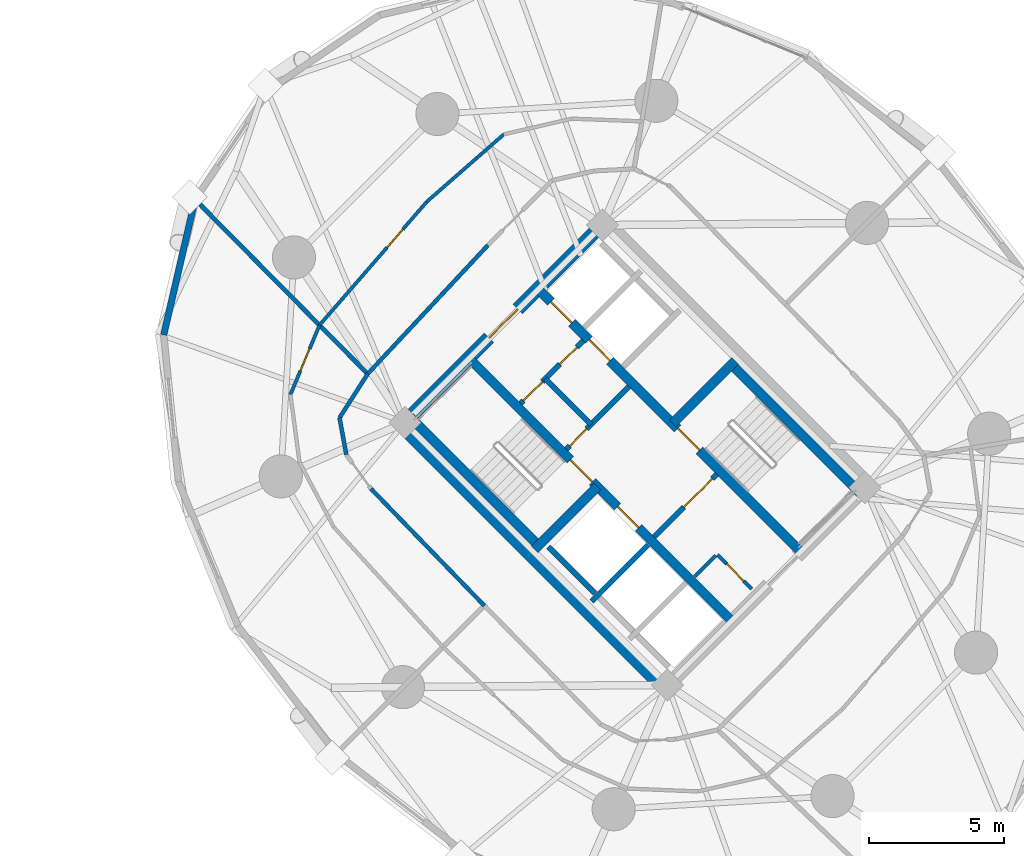
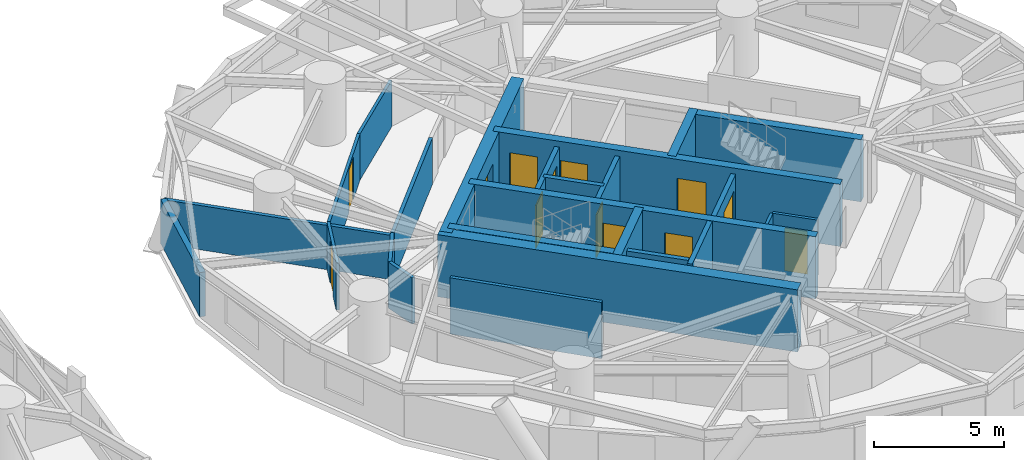
# One storey, part 13 of 18: 25 walls, 13 doors, 13 openings.
"""IFC4 building model written with IfcOpenShell, lengths in metres."""

from ifc_helpers import new_model, si_unit, direction, frame, frame_2d, origin, place, context, subcontext, project, spatial, rectangle, extrude, source, transform, mapped, material, layer, layer_set, type_object, element, fill, save


model = new_model("IFC4")

# Units and contexts
model_context = context("Model", 3, precision=1e-05, world=origin(), true_north=direction((0.0, 1.0)))
body_context = subcontext(model_context, "Body", "Model", "MODEL_VIEW")
ifc_project = project(units=[si_unit("LENGTHUNIT", "METRE"), si_unit("AREAUNIT", "SQUARE_METRE"), si_unit("VOLUMEUNIT", "CUBIC_METRE"), si_unit("PLANEANGLEUNIT", "RADIAN"), si_unit("MASSUNIT", "GRAM", prefix="KILO")], contexts=[model_context])

# Site, building, storey
site_placement = place(None, origin())
site = spatial("IfcSite", under=ifc_project, at=site_placement, CompositionType="ELEMENT")
building_placement = place(site_placement, origin())
building = spatial("IfcBuilding", under=site, at=building_placement, Name="Cununo Teusaquillo Station Towers", CompositionType="ELEMENT")
storey_placement = place(building_placement, frame((0.0, 0.0, 56.919921875)))
storey = spatial("IfcBuildingStorey", under=building, at=storey_placement, Name="L17", CompositionType="ELEMENT", Elevation=56.919921875)

# Walls
ifc_material_1 = material(Name="Concrete C50/60", Category="concrete")
ifc_layer_1 = layer(ifc_material_1, 0.199951171875)
ifc_layer_set_1 = layer_set([ifc_layer_1], Name="Concrete C50/60")
wall_type_1 = type_object("IfcWallType", Name="WL-CORE-200", PredefinedType="SHEAR", material=ifc_layer_set_1)
wall_1_placement = place(storey_placement, frame((55.8876953125, 19.0693359375, 0.0), z_axis=(0.0, 0.0, 1.0), x_axis=(0.707106781187, 0.707106781187, 0.0)))
element("IfcWall", 1, at=wall_1_placement, inside=storey, type_object=wall_type_1, Name="L17 Tower B Firefighting Lift Shaft South Shear Wall", PredefinedType="SHEAR", context=body_context, shape_type="SweptSolid", body=[
    extrude(rectangle(XDim=2.969970703125, YDim=0.199951171875, at=frame_2d((1.48486328125, 0.0))), origin(), (0.0, 0.0, 1.0), 2.91015625),
])
wall_2_placement = place(storey_placement, frame((56.01513671875, 19.366455078125, 0.0), z_axis=(0.0, 0.0, 1.0), x_axis=(-0.707106781187, 0.707106781187, 0.0)))
element("IfcWall", 2, at=wall_2_placement, inside=storey, type_object=wall_type_1, Name="L17 Tower B Firefighting Lift Shaft Rear Shear Wall", PredefinedType="SHEAR", context=body_context, shape_type="SweptSolid", body=[
    extrude(rectangle(XDim=2.43994140625, YDim=0.199951171875, at=frame_2d((1.219970703125, 0.0))), origin(), (0.0, 0.0, 1.0), 2.91015625),
])

# Wall, openings, doors
ifc_material_2 = material(Name="Concrete C50/60", Category="concrete")
ifc_layer_2 = layer(ifc_material_2, 0.35009765625)
ifc_layer_set_2 = layer_set([ifc_layer_2], Name="Concrete C50/60")
wall_type_2 = type_object("IfcWallType", Name="WL-CORE-350", PredefinedType="SHEAR", material=ifc_layer_set_2)
wall_3_placement = place(storey_placement, frame((61.095703125, 18.337646484375, 0.0), z_axis=(0.0, 0.0, 1.0), x_axis=(-0.707106781187, 0.707106781187, 0.0)))
wall_3 = element("IfcWall", 3, at=wall_3_placement, inside=storey, type_object=wall_type_2, Name="L17 Tower B Core Shear Wall IW", PredefinedType="SHEAR", context=body_context, shape_type="SweptSolid", body=[
    extrude(rectangle(XDim=13.800048828125, YDim=0.35009765625, at=frame_2d((6.89990234375, 0.0))), origin(), (0.0, 0.0, 1.0), 2.91015625),
])
shared_shape_1 = source(origin(), body_context, "Body", "SweptSolid", [
    extrude(rectangle(XDim=1.10009765625, YDim=2.014892578125, at=frame_2d((0.550048828125, 1.00732421875))), frame((0.0, 0.18505859375, 0.0), z_axis=(0.0, -1.0, 0.0), x_axis=(1.0, 0.0, 0.0)), (0.0, 0.0, 1.0), 0.3701171875),
])
opening_1_placement = place(wall_3_placement, frame((4.89990234375, 0.0, 0.0)))
opening_1 = element("IfcOpeningElement", 4, at=opening_1_placement, cuts=wall_3, Name="Opening LD-01", PredefinedType="OPENING", context=body_context, shape_type="MappedRepresentation", body=[
    mapped(shared_shape_1, transform((0.0, 0.0, 0.0), x_axis=(1.0, 0.0, 0.0), y_axis=(0.0, 1.0, 0.0), z_axis=(0.0, 0.0, 1.0), scale=1.0)),
])
shared_shape_2 = source(origin(), body_context, "Body", "SweptSolid", [
    extrude(rectangle(XDim=1.14990234375, YDim=2.02001953125, at=frame_2d((0.574951171875, 1.010009765625))), frame((0.0, 0.18505859375, 0.0), z_axis=(0.0, -1.0, 0.0), x_axis=(1.0, 0.0, 0.0)), (0.0, 0.0, 1.0), 0.3701171875),
])
opening_2_placement = place(wall_3_placement, frame((7.320068359375, 0.0, 0.0)))
opening_2 = element("IfcOpeningElement", 5, at=opening_2_placement, cuts=wall_3, Name="Opening D-ST1", PredefinedType="OPENING", context=body_context, shape_type="MappedRepresentation", body=[
    mapped(shared_shape_2, transform((0.0, 0.0, 0.0), x_axis=(1.0, 0.0, 0.0), y_axis=(0.0, 1.0, 0.0), z_axis=(0.0, 0.0, 1.0), scale=1.0)),
])
ifc_material_3 = material(Name="Galvanised fire-rated hollow steel door assembly", Category="steel")
door_type_1 = type_object("IfcDoorType", Name="DR-LIFT-1100", OperationType="SLIDING_TO_LEFT", PredefinedType="DOOR", material=ifc_material_3)
shared_shape_3 = source(origin(), body_context, "Body", "SweptSolid", [
    extrude(rectangle(XDim=1.10009765625, YDim=2.014892578125, at=frame_2d((0.550048828125, 1.00732421875))), frame((0.0, 0.02490234375, 0.0), z_axis=(0.0, -1.0, 0.0), x_axis=(1.0, 0.0, 0.0)), (0.0, 0.0, 1.0), 0.050048828125),
])
door_1_placement = place(opening_1_placement, origin())
door_1 = element("IfcDoor", 6, at=door_1_placement, inside=storey, type_object=door_type_1, Name="L17 Lift FL-T2 Sliding Landing Door", OperationType="SLIDING_TO_LEFT", OverallHeight=2.014892578125, OverallWidth=1.10009765625, PredefinedType="DOOR", context=body_context, shape_type="MappedRepresentation", body=[
    mapped(shared_shape_3, transform((0.0, 0.0, 0.0), x_axis=(1.0, 0.0, 0.0), y_axis=(0.0, 1.0, 0.0), z_axis=(0.0, 0.0, 1.0), scale=1.0)),
])
fill(opening_1, door_1)
ifc_material_4 = material(Name="Galvanised fire-rated hollow steel door assembly", Category="steel")
door_type_2 = type_object("IfcDoorType", Name="DR-STAIR-1150", OperationType="NOTDEFINED", PredefinedType="DOOR", material=ifc_material_4)
shared_shape_4 = source(origin(), body_context, "Body", "SweptSolid", [
    extrude(rectangle(XDim=1.14990234375, YDim=2.02001953125, at=frame_2d((0.574951171875, 1.010009765625))), frame((0.0, 0.02490234375, 0.0), z_axis=(0.0, -1.0, 0.0), x_axis=(1.0, 0.0, 0.0)), (0.0, 0.0, 1.0), 0.050048828125),
])
door_2_placement = place(opening_2_placement, origin())
door_2 = element("IfcDoor", 7, at=door_2_placement, inside=storey, type_object=door_type_2, Name="L17 Tower B Exit Stair 1 Fire Door", OperationType="SINGLE_SWING_RIGHT", OverallHeight=2.02001953125, OverallWidth=1.14990234375, PredefinedType="DOOR", context=body_context, shape_type="MappedRepresentation", body=[
    mapped(shared_shape_4, transform((0.0, 0.0, 0.0), x_axis=(1.0, 0.0, 0.0), y_axis=(0.0, 1.0, 0.0), z_axis=(0.0, 0.0, 1.0), scale=1.0)),
])
fill(opening_2, door_2)

wall_4_placement = place(storey_placement, frame((63.662353515625, 20.904296875, 0.0), z_axis=(0.0, 0.0, 1.0), x_axis=(-0.707106781187, 0.707106781187, 0.0)))
wall_4 = element("IfcWall", 8, at=wall_4_placement, inside=storey, type_object=wall_type_2, Name="L17 Tower B Core Shear Wall IE", PredefinedType="SHEAR", context=body_context, shape_type="SweptSolid", body=[
    extrude(rectangle(XDim=13.800048828125, YDim=0.35009765625, at=frame_2d((6.89990234375, 0.0))), origin(), (0.0, 0.0, 1.0), 2.91015625),
])
opening_3_placement = place(wall_4_placement, frame((10.02490234375, 0.0, 0.0)))
opening_3 = element("IfcOpeningElement", 9, at=opening_3_placement, cuts=wall_4, Name="Opening LD-01", PredefinedType="OPENING", context=body_context, shape_type="MappedRepresentation", body=[
    mapped(shared_shape_1, transform((0.0, 0.0, 0.0), x_axis=(1.0, 0.0, 0.0), y_axis=(0.0, 1.0, 0.0), z_axis=(0.0, 0.0, 1.0), scale=1.0)),
])
opening_4_placement = place(wall_4_placement, frame((12.02490234375, 0.0, 0.0)))
opening_4 = element("IfcOpeningElement", 10, at=opening_4_placement, cuts=wall_4, Name="Opening LD-01", PredefinedType="OPENING", context=body_context, shape_type="MappedRepresentation", body=[
    mapped(shared_shape_1, transform((0.0, 0.0, 0.0), x_axis=(1.0, 0.0, 0.0), y_axis=(0.0, 1.0, 0.0), z_axis=(0.0, 0.0, 1.0), scale=1.0)),
])
opening_5_placement = place(wall_4_placement, frame((5.330078125, 0.0, 0.0)))
opening_5 = element("IfcOpeningElement", 11, at=opening_5_placement, cuts=wall_4, Name="Opening D-ST1", PredefinedType="OPENING", context=body_context, shape_type="MappedRepresentation", body=[
    mapped(shared_shape_2, transform((0.0, 0.0, 0.0), x_axis=(1.0, 0.0, 0.0), y_axis=(0.0, 1.0, 0.0), z_axis=(0.0, 0.0, 1.0), scale=1.0)),
])
door_3_placement = place(opening_3_placement, origin())
door_3 = element("IfcDoor", 12, at=door_3_placement, inside=storey, type_object=door_type_1, Name="L17 Lift PL-T2-L1 Sliding Landing Door", OperationType="SLIDING_TO_RIGHT", OverallHeight=2.014892578125, OverallWidth=1.10009765625, PredefinedType="DOOR", context=body_context, shape_type="MappedRepresentation", body=[
    mapped(shared_shape_3, transform((0.0, 0.0, 0.0), x_axis=(1.0, 0.0, 0.0), y_axis=(0.0, 1.0, 0.0), z_axis=(0.0, 0.0, 1.0), scale=1.0)),
])
fill(opening_3, door_3)
door_4_placement = place(opening_4_placement, origin())
door_4 = element("IfcDoor", 13, at=door_4_placement, inside=storey, type_object=door_type_1, Name="L17 Lift PL-T2-L2 Sliding Landing Door", OperationType="SLIDING_TO_LEFT", OverallHeight=2.014892578125, OverallWidth=1.10009765625, PredefinedType="DOOR", context=body_context, shape_type="MappedRepresentation", body=[
    mapped(shared_shape_3, transform((0.0, 0.0, 0.0), x_axis=(1.0, 0.0, 0.0), y_axis=(0.0, 1.0, 0.0), z_axis=(0.0, 0.0, 1.0), scale=1.0)),
])
fill(opening_4, door_4)
door_5_placement = place(opening_5_placement, origin())
door_5 = element("IfcDoor", 14, at=door_5_placement, inside=storey, type_object=door_type_2, Name="L17 Tower B Exit Stair 2 Fire Door", OperationType="SINGLE_SWING_LEFT", OverallHeight=2.02001953125, OverallWidth=1.14990234375, PredefinedType="DOOR", context=body_context, shape_type="MappedRepresentation", body=[
    mapped(shared_shape_4, transform((0.0, 0.0, 0.0), x_axis=(1.0, 0.0, 0.0), y_axis=(0.0, 1.0, 0.0), z_axis=(0.0, 0.0, 1.0), scale=1.0)),
])
fill(opening_5, door_5)

# Walls
wall_5_placement = place(storey_placement, frame((53.922119140625, 21.14111328125, 0.0), z_axis=(0.0, 0.0, 1.0), x_axis=(-0.707106781187, 0.707106781187, 0.0)))
element("IfcWall", 15, at=wall_5_placement, inside=storey, type_object=wall_type_2, Name="L17 Tower B Core Shear Wall ST1W", PredefinedType="SHEAR", context=body_context, shape_type="SweptSolid", body=[
    extrude(rectangle(XDim=6.7451171875, YDim=0.35009765625, at=frame_2d((3.37255859375, 0.0))), origin(), (0.0, 0.0, 1.0), 2.91015625),
])
wall_6_placement = place(storey_placement, frame((53.7841796875, 21.00341796875, 0.0), z_axis=(0.0, 0.0, 1.0), x_axis=(0.707106781187, 0.707106781187, 0.0)))
element("IfcWall", 16, at=wall_6_placement, inside=storey, type_object=wall_type_2, Name="L17 Tower B Core Shear Wall ST1S", PredefinedType="SHEAR", context=body_context, shape_type="SweptSolid", body=[
    extrude(rectangle(XDim=3.284912109375, YDim=0.35009765625, at=frame_2d((1.642578125, 0.0))), origin(), (0.0, 0.0, 1.0), 2.91015625),
])
wall_7_placement = place(storey_placement, frame((65.847412109375, 23.08935546875, 0.0), z_axis=(0.0, 0.0, 1.0), x_axis=(-0.707106781187, 0.707106781187, 0.0)))
element("IfcWall", 17, at=wall_7_placement, inside=storey, type_object=wall_type_2, Name="L17 Tower B Core Shear Wall ST2E", PredefinedType="SHEAR", context=body_context, shape_type="SweptSolid", body=[
    extrude(rectangle(XDim=6.7451171875, YDim=0.35009765625, at=frame_2d((3.37255859375, 0.0))), origin(), (0.0, 0.0, 1.0), 2.91015625),
])
wall_8_placement = place(storey_placement, frame((58.89306640625, 25.673828125, 0.0), z_axis=(0.0, 0.0, 1.0), x_axis=(0.707106781187, 0.707106781187, 0.0)))
element("IfcWall", 18, at=wall_8_placement, inside=storey, type_object=wall_type_2, Name="L17 Tower B Core Shear Wall ST2N", PredefinedType="SHEAR", context=body_context, shape_type="SweptSolid", body=[
    extrude(rectangle(XDim=3.284912109375, YDim=0.35009765625, at=frame_2d((1.642578125, 0.0))), origin(), (0.0, 0.0, 1.0), 2.91015625),
])
ifc_material_5 = material(Name="Concrete C60/75", Category="concrete")
ifc_layer_3 = layer(ifc_material_5, 0.5)
ifc_layer_set_3 = layer_set([ifc_layer_3], Name="Concrete C60/75")
wall_type_3 = type_object("IfcWallType", Name="WL-CORE-500", PredefinedType="SHEAR", material=ifc_layer_set_3)
wall_9_placement = place(storey_placement, frame((58.772705078125, 15.6611328125, 0.0), z_axis=(0.0, 0.0, 1.0), x_axis=(-0.707106781187, 0.707106781187, 0.0)))
element("IfcWall", 19, at=wall_9_placement, inside=storey, type_object=wall_type_3, Name="L17 Tower B Core Shear Wall W", PredefinedType="SHEAR", context=body_context, shape_type="SweptSolid", body=[
    extrude(rectangle(XDim=14.2998046875, YDim=0.5, at=frame_2d((7.14990234375, 0.0))), origin(), (0.0, 0.0, 1.0), 2.91015625),
])

# Wall, opening, door
wall_10_placement = place(storey_placement, frame((48.837890625, 25.595947265625, 0.0), z_axis=(0.0, 0.0, 1.0), x_axis=(0.707106781187, 0.707106781187, 0.0)))
wall_10 = element("IfcWall", 20, at=wall_10_placement, inside=storey, type_object=wall_type_3, Name="L17 Tower B Core Shear Wall N", PredefinedType="SHEAR", context=body_context, shape_type="SweptSolid", body=[
    extrude(rectangle(XDim=10.7001953125, YDim=0.5, at=frame_2d((5.35009765625, 0.0))), origin(), (0.0, 0.0, 1.0), 2.91015625),
])
shared_shape_5 = source(origin(), body_context, "Body", "SweptSolid", [
    extrude(rectangle(XDim=1.5, YDim=2.02001953125, at=frame_2d((0.75, 1.010009765625))), frame((0.0, 0.260009765625, 0.0), z_axis=(0.0, -1.0, 0.0), x_axis=(1.0, 0.0, 0.0)), (0.0, 0.0, 1.0), 0.52001953125),
])
opening_6_placement = place(wall_10_placement, frame((4.60009765625, 0.0, 0.0)))
opening_6 = element("IfcOpeningElement", 21, at=opening_6_placement, cuts=wall_10, Name="Opening D-LB1", PredefinedType="OPENING", context=body_context, shape_type="MappedRepresentation", body=[
    mapped(shared_shape_5, transform((0.0, 0.0, 0.0), x_axis=(1.0, 0.0, 0.0), y_axis=(0.0, 1.0, 0.0), z_axis=(0.0, 0.0, 1.0), scale=1.0)),
])
ifc_material_6 = material(Name="Galvanised fire-rated hollow steel door assembly", Category="steel")
door_type_3 = type_object("IfcDoorType", Name="DR-LOBBY-1500", OperationType="DOUBLE_DOOR_SINGLE_SWING", PredefinedType="DOOR", material=ifc_material_6)
shared_shape_6 = source(origin(), body_context, "Body", "SweptSolid", [
    extrude(rectangle(XDim=1.5, YDim=2.02001953125, at=frame_2d((0.75, 1.010009765625))), frame((0.0, 0.02490234375, 0.0), z_axis=(0.0, -1.0, 0.0), x_axis=(1.0, 0.0, 0.0)), (0.0, 0.0, 1.0), 0.050048828125),
])
door_6_placement = place(opening_6_placement, origin())
door_6 = element("IfcDoor", 22, at=door_6_placement, inside=storey, type_object=door_type_3, Name="L17 Tower B North Core Lift Lobby Door", OperationType="DOUBLE_DOOR_SINGLE_SWING", OverallHeight=2.02001953125, OverallWidth=1.5, PredefinedType="DOOR", context=body_context, shape_type="MappedRepresentation", body=[
    mapped(shared_shape_6, transform((0.0, 0.0, 0.0), x_axis=(1.0, 0.0, 0.0), y_axis=(0.0, 1.0, 0.0), z_axis=(0.0, 0.0, 1.0), scale=1.0)),
])
fill(opening_6, door_6)

# Wall
ifc_material_7 = material(Name="Precast concrete C40/50", Category="concrete")
ifc_layer_4 = layer(ifc_material_7, 0.239990234375)
ifc_layer_set_4 = layer_set([ifc_layer_4], Name="Precast concrete C40/50")
wall_type_4 = type_object("IfcWallType", Name="WL-EXT-240", PredefinedType="SOLIDWALL", material=ifc_layer_set_4)
wall_11_placement = place(storey_placement, frame((40.023681640625, 28.95654296875, 0.0), z_axis=(0.0, 0.0, 1.0), x_axis=(0.225833060959, 0.974166016949, 0.0)))
element("IfcWall", 23, at=wall_11_placement, inside=storey, type_object=wall_type_4, Name="L17 Tower B Exterior Facade Wall C06", PredefinedType="SOLIDWALL", context=body_context, shape_type="SweptSolid", body=[
    extrude(rectangle(XDim=5.14599609375, YDim=0.239990234375, at=frame_2d((2.572998046875, 0.0))), origin(), (0.0, 0.0, 1.0), 2.072998046875),
])

# Wall, opening, door
ifc_material_8 = material(Name="Fire-rated gypsum plasterboard partition assembly", Category="gypsum")
ifc_layer_5 = layer(ifc_material_8, 0.125)
ifc_layer_set_5 = layer_set([ifc_layer_5], Name="Fire-rated gypsum plasterboard partition assembly")
wall_type_5 = type_object("IfcWallType", Name="WL-PART-125", PredefinedType="PARTITIONING", material=ifc_layer_set_5)
wall_12_placement = place(storey_placement, frame((61.834716796875, 19.529052734375, 0.0), z_axis=(0.0, 0.0, 1.0), x_axis=(-0.707174592913, 0.707038962956, 0.0)))
wall_12 = element("IfcWall", 24, at=wall_12_placement, inside=storey, type_object=wall_type_5, Name="L17 Tower B South-West Compact Store East Wall", PredefinedType="PARTITIONING", context=body_context, shape_type="SweptSolid", body=[
    extrude(rectangle(XDim=1.800048828125, YDim=0.125, at=frame_2d((0.89990234375, 0.0))), origin(), (0.0, 0.0, 1.0), 2.635009765625),
])
shared_shape_7 = source(origin(), body_context, "Body", "SweptSolid", [
    extrude(rectangle(XDim=0.89990234375, YDim=2.0048828125, at=frame_2d((0.449951171875, 1.00244140625))), frame((0.0, 0.072509765625, 0.0), z_axis=(0.0, -1.0, 0.0), x_axis=(1.0, 0.0, 0.0)), (0.0, 0.0, 1.0), 0.14501953125),
])
opening_7_placement = place(wall_12_placement, frame((0.419921875, 0.0, 0.0)))
opening_7 = element("IfcOpeningElement", 25, at=opening_7_placement, cuts=wall_12, Name="Opening D-SR1", PredefinedType="OPENING", context=body_context, shape_type="MappedRepresentation", body=[
    mapped(shared_shape_7, transform((0.0, 0.0, 0.0), x_axis=(1.0, 0.0, 0.0), y_axis=(0.0, 1.0, 0.0), z_axis=(0.0, 0.0, 1.0), scale=1.0)),
])
ifc_material_9 = material(Name="Galvanised fire-rated hollow steel door assembly", Category="steel")
door_type_4 = type_object("IfcDoorType", Name="DR-STORE-900", OperationType="NOTDEFINED", PredefinedType="DOOR", material=ifc_material_9)
shared_shape_8 = source(origin(), body_context, "Body", "SweptSolid", [
    extrude(rectangle(XDim=0.89990234375, YDim=2.0048828125, at=frame_2d((0.449951171875, 1.00244140625))), frame((0.0, 0.02490234375, 0.0), z_axis=(0.0, -1.0, 0.0), x_axis=(1.0, 0.0, 0.0)), (0.0, 0.0, 1.0), 0.050048828125),
])
door_7_placement = place(opening_7_placement, origin())
door_7 = element("IfcDoor", 26, at=door_7_placement, inside=storey, type_object=door_type_4, Name="L17 Tower B Core Electrical & Comms Store Door", OperationType="SINGLE_SWING_RIGHT", OverallHeight=2.0048828125, OverallWidth=0.89990234375, PredefinedType="DOOR", context=body_context, shape_type="MappedRepresentation", body=[
    mapped(shared_shape_8, transform((0.0, 0.0, 0.0), x_axis=(1.0, 0.0, 0.0), y_axis=(0.0, 1.0, 0.0), z_axis=(0.0, 0.0, 1.0), scale=1.0)),
])
fill(opening_7, door_7)

# Walls
wall_13_placement = place(storey_placement, frame((59.713134765625, 19.99560546875, 0.0), z_axis=(0.0, 0.0, 1.0), x_axis=(0.707217726, 0.706995818963, 0.0)))
element("IfcWall", 27, at=wall_13_placement, inside=storey, type_object=wall_type_5, Name="L17 Tower B South-West Compact Store North Wall", PredefinedType="PARTITIONING", context=body_context, shape_type="SweptSolid", body=[
    extrude(rectangle(XDim=1.10009765625, YDim=0.125, at=frame_2d((0.550048828125, 0.0))), origin(), (0.0, 0.0, 1.0), 2.635009765625),
])
wall_14_placement = place(storey_placement, frame((52.63818359375, 36.394287109375, 0.0), z_axis=(0.0, 0.0, 1.0), x_axis=(-0.752560767323, -0.658522810149, 0.0)))
element("IfcWall", 28, at=wall_14_placement, inside=storey, type_object=wall_type_5, Name="L17 Tower B Hotel Private Banquet Salon Concentric Partition Wall C04", PredefinedType="PARTITIONING", context=body_context, shape_type="SweptSolid", body=[
    extrude(rectangle(XDim=3.79833984375, YDim=0.125, at=frame_2d((1.899169921875, 0.0))), origin(), (0.0, 0.0, 1.0), 2.1591796875),
])

# Wall, opening, door
wall_15_placement = place(storey_placement, frame((49.77978515625, 33.89306640625, 0.0), z_axis=(0.0, 0.0, 1.0), x_axis=(-0.656115925284, -0.754660117264, 0.0)))
wall_15 = element("IfcWall", 29, at=wall_15_placement, inside=storey, type_object=wall_type_5, Name="L17 Tower B Hotel Private Banquet Salon Concentric Partition Wall C05", PredefinedType="PARTITIONING", context=body_context, shape_type="SweptSolid", body=[
    extrude(rectangle(XDim=6.06494140625, YDim=0.125, at=frame_2d((3.032470703125, 0.0))), origin(), (0.0, 0.0, 1.0), 2.1591796875),
])
opening_8_placement = place(wall_15_placement, frame((1.351318359375, 0.0, 0.0)))
opening_8 = element("IfcOpeningElement", 30, at=opening_8_placement, cuts=wall_15, Name="Opening D-IN1", PredefinedType="OPENING", context=body_context, shape_type="MappedRepresentation", body=[
    mapped(shared_shape_7, transform((0.0, 0.0, 0.0), x_axis=(1.0, 0.0, 0.0), y_axis=(0.0, 1.0, 0.0), z_axis=(0.0, 0.0, 1.0), scale=1.0)),
])
ifc_material_10 = material(Name="Acoustic solid-core hardwood leaf assembly", Category="wood")
door_type_5 = type_object("IfcDoorType", Name="DR-INT-900", OperationType="NOTDEFINED", PredefinedType="DOOR", material=ifc_material_10)
door_8_placement = place(opening_8_placement, origin())
door_8 = element("IfcDoor", 31, at=door_8_placement, inside=storey, type_object=door_type_5, Name="L17 Tower B Hotel Private Banquet Salon Connecting Door", OperationType="SINGLE_SWING_LEFT", OverallHeight=2.0048828125, OverallWidth=0.89990234375, PredefinedType="DOOR", context=body_context, shape_type="MappedRepresentation", body=[
    mapped(shared_shape_8, transform((0.0, 0.0, 0.0), x_axis=(1.0, 0.0, 0.0), y_axis=(0.0, 1.0, 0.0), z_axis=(0.0, 0.0, 1.0), scale=1.0)),
])
fill(opening_8, door_8)

wall_16_placement = place(storey_placement, frame((45.800537109375, 29.316162109375, 0.0), z_axis=(0.0, 0.0, 1.0), x_axis=(-0.386006506755, -0.922496057847, 0.0)))
wall_16 = element("IfcWall", 32, at=wall_16_placement, inside=storey, type_object=wall_type_5, Name="L17 Tower B Hotel Concierge & Library Club Concentric Partition Wall C06", PredefinedType="PARTITIONING", context=body_context, shape_type="SweptSolid", body=[
    extrude(rectangle(XDim=2.79052734375, YDim=0.125, at=frame_2d((1.395263671875, 0.0))), origin(), (0.0, 0.0, 1.0), 2.205078125),
])
opening_9_placement = place(wall_16_placement, frame((0.9453125, 0.0, 0.0)))
opening_9 = element("IfcOpeningElement", 33, at=opening_9_placement, cuts=wall_16, Name="Opening D-IN1", PredefinedType="OPENING", context=body_context, shape_type="MappedRepresentation", body=[
    mapped(shared_shape_7, transform((0.0, 0.0, 0.0), x_axis=(1.0, 0.0, 0.0), y_axis=(0.0, 1.0, 0.0), z_axis=(0.0, 0.0, 1.0), scale=1.0)),
])
door_9_placement = place(opening_9_placement, origin())
door_9 = element("IfcDoor", 34, at=door_9_placement, inside=storey, type_object=door_type_5, Name="L17 Tower B Hotel Concierge & Library Club Connecting Door", OperationType="SINGLE_SWING_LEFT", OverallHeight=2.0048828125, OverallWidth=0.89990234375, PredefinedType="DOOR", context=body_context, shape_type="MappedRepresentation", body=[
    mapped(shared_shape_8, transform((0.0, 0.0, 0.0), x_axis=(1.0, 0.0, 0.0), y_axis=(0.0, 1.0, 0.0), z_axis=(0.0, 0.0, 1.0), scale=1.0)),
])
fill(opening_9, door_9)

# Walls
ifc_material_11 = material(Name="Fire-rated gypsum plasterboard partition assembly", Category="gypsum")
ifc_layer_6 = layer(ifc_material_11, 0.14990234375)
ifc_layer_set_6 = layer_set([ifc_layer_6], Name="Fire-rated gypsum plasterboard partition assembly")
wall_type_6 = type_object("IfcWallType", Name="WL-PART-150", PredefinedType="PARTITIONING", material=ifc_layer_set_6)
wall_17_placement = place(storey_placement, frame((52.04345703125, 32.27978515625, 0.0), z_axis=(0.0, 0.0, 1.0), x_axis=(-0.682606081633, -0.730786519661, 0.0)))
element("IfcWall", 35, at=wall_17_placement, inside=storey, type_object=wall_type_6, Name="L17 Tower B Corridor Ring Wall C05", PredefinedType="PARTITIONING", context=body_context, shape_type="SweptSolid", body=[
    extrude(rectangle(XDim=6.526611328125, YDim=0.14990234375, at=frame_2d((3.26318359375, 0.0))), origin(), (0.0, 0.0, 1.0), 2.1591796875),
])
wall_18_placement = place(storey_placement, frame((47.58837890625, 27.51025390625, 0.0), z_axis=(0.0, 0.0, 1.0), x_axis=(-0.540202619347, -0.841534984449, 0.0)))
element("IfcWall", 36, at=wall_18_placement, inside=storey, type_object=wall_type_6, Name="L17 Tower B Corridor Ring Wall C06", PredefinedType="PARTITIONING", context=body_context, shape_type="SweptSolid", body=[
    extrude(rectangle(XDim=1.934814453125, YDim=0.14990234375, at=frame_2d((0.96728515625, 0.0))), origin(), (0.0, 0.0, 1.0), 2.1591796875),
])
wall_19_placement = place(storey_placement, frame((46.543212890625, 25.882080078125, 0.0), z_axis=(0.0, 0.0, 1.0), x_axis=(0.181153502579, -0.983454832976, 0.0)))
element("IfcWall", 37, at=wall_19_placement, inside=storey, type_object=wall_type_6, Name="L17 Tower B Corridor Ring Wall C07", PredefinedType="PARTITIONING", context=body_context, shape_type="SweptSolid", body=[
    extrude(rectangle(XDim=1.39208984375, YDim=0.14990234375, at=frame_2d((0.696044921875, 0.0))), origin(), (0.0, 0.0, 1.0), 2.1591796875),
])
wall_20_placement = place(storey_placement, frame((47.70556640625, 23.253173828125, 0.0), z_axis=(0.0, 0.0, 1.0), x_axis=(0.696179266346, -0.717867974707, 0.0)))
element("IfcWall", 38, at=wall_20_placement, inside=storey, type_object=wall_type_6, Name="L17 Tower B Corridor Ring Wall C09", PredefinedType="PARTITIONING", context=body_context, shape_type="SweptSolid", body=[
    extrude(rectangle(XDim=6.044677734375, YDim=0.14990234375, at=frame_2d((3.0224609375, 0.0))), origin(), (0.0, 0.0, 1.0), 2.635009765625),
])
ifc_material_12 = material(Name="Fire-rated gypsum plasterboard partition assembly", Category="gypsum")
ifc_layer_7 = layer(ifc_material_12, 0.159912109375)
ifc_layer_set_7 = layer_set([ifc_layer_7], Name="Fire-rated gypsum plasterboard partition assembly")
wall_type_7 = type_object("IfcWallType", Name="WL-PART-160", PredefinedType="PARTITIONING", material=ifc_layer_set_7)
wall_21_placement = place(storey_placement, frame((47.58837890625, 27.51025390625, 0.0), z_axis=(0.0, 0.0, 1.0), x_axis=(-0.703506421614, 0.710688901523, 0.0)))
element("IfcWall", 39, at=wall_21_placement, inside=storey, type_object=wall_type_7, Name="L17 Tower B Radial Suite Partition R03", PredefinedType="PARTITIONING", context=body_context, shape_type="SweptSolid", body=[
    extrude(rectangle(XDim=9.07568359375, YDim=0.159912109375, at=frame_2d((4.537841796875, 0.0))), origin(), (0.0, 0.0, 1.0), 2.072998046875),
])

# Wall, opening, door
ifc_material_13 = material(Name="Fire-rated gypsum plasterboard partition assembly", Category="gypsum")
ifc_layer_8 = layer(ifc_material_13, 0.199951171875)
ifc_layer_set_8 = layer_set([ifc_layer_8], Name="Fire-rated gypsum plasterboard partition assembly")
wall_type_8 = type_object("IfcWallType", Name="WL-PART-200", PredefinedType="PARTITIONING", material=ifc_layer_set_8)
wall_22_placement = place(storey_placement, frame((58.214111328125, 21.466552734375, 0.0), z_axis=(0.0, 0.0, 1.0), x_axis=(0.707106781187, 0.707106781187, 0.0)))
wall_22 = element("IfcWall", 40, at=wall_22_placement, inside=storey, type_object=wall_type_8, Name="L17 Tower B Firefighting Lift Lobby South Fire Wall", PredefinedType="PARTITIONING", context=body_context, shape_type="SweptSolid", body=[
    extrude(rectangle(XDim=3.280029296875, YDim=0.199951171875, at=frame_2d((1.64013671875, 0.0))), origin(), (0.0, 0.0, 1.0), 2.635009765625),
])
shared_shape_9 = source(origin(), body_context, "Body", "SweptSolid", [
    extrude(rectangle(XDim=1.5, YDim=2.02001953125, at=frame_2d((0.75, 1.010009765625))), frame((0.0, 0.10986328125, 0.0), z_axis=(0.0, -1.0, 0.0), x_axis=(1.0, 0.0, 0.0)), (0.0, 0.0, 1.0), 0.219970703125),
])
opening_10_placement = place(wall_22_placement, frame((1.550048828125, 0.0, 0.0)))
opening_10 = element("IfcOpeningElement", 41, at=opening_10_placement, cuts=wall_22, Name="Opening D-LB1", PredefinedType="OPENING", context=body_context, shape_type="MappedRepresentation", body=[
    mapped(shared_shape_9, transform((0.0, 0.0, 0.0), x_axis=(1.0, 0.0, 0.0), y_axis=(0.0, 1.0, 0.0), z_axis=(0.0, 0.0, 1.0), scale=1.0)),
])
door_10_placement = place(opening_10_placement, origin())
door_10 = element("IfcDoor", 42, at=door_10_placement, inside=storey, type_object=door_type_3, Name="L17 Tower B Firefighting Lift Lobby South Fire Door", OperationType="DOUBLE_DOOR_SINGLE_SWING", OverallHeight=2.02001953125, OverallWidth=1.5, PredefinedType="DOOR", context=body_context, shape_type="MappedRepresentation", body=[
    mapped(shared_shape_6, transform((0.0, 0.0, 0.0), x_axis=(1.0, 0.0, 0.0), y_axis=(0.0, 1.0, 0.0), z_axis=(0.0, 0.0, 1.0), scale=1.0)),
])
fill(opening_10, door_10)

wall_23_placement = place(storey_placement, frame((54.96142578125, 24.71923828125, 0.0), z_axis=(0.0, 0.0, 1.0), x_axis=(0.707106781187, 0.707106781187, 0.0)))
wall_23 = element("IfcWall", 43, at=wall_23_placement, inside=storey, type_object=wall_type_8, Name="L17 Tower B Firefighting Lift Lobby North Fire Wall", PredefinedType="PARTITIONING", context=body_context, shape_type="SweptSolid", body=[
    extrude(rectangle(XDim=3.280029296875, YDim=0.199951171875, at=frame_2d((1.64013671875, 0.0))), origin(), (0.0, 0.0, 1.0), 2.635009765625),
])
shared_shape_10 = source(origin(), body_context, "Body", "SweptSolid", [
    extrude(rectangle(XDim=0.89990234375, YDim=2.0048828125, at=frame_2d((0.449951171875, 1.00244140625))), frame((0.0, 0.10986328125, 0.0), z_axis=(0.0, -1.0, 0.0), x_axis=(1.0, 0.0, 0.0)), (0.0, 0.0, 1.0), 0.219970703125),
])
opening_11_placement = place(wall_23_placement, frame((0.159912109375, 0.0, 0.0)))
opening_11 = element("IfcOpeningElement", 44, at=opening_11_placement, cuts=wall_23, Name="Opening D-SR1", PredefinedType="OPENING", context=body_context, shape_type="MappedRepresentation", body=[
    mapped(shared_shape_10, transform((0.0, 0.0, 0.0), x_axis=(1.0, 0.0, 0.0), y_axis=(0.0, 1.0, 0.0), z_axis=(0.0, 0.0, 1.0), scale=1.0)),
])
door_11_placement = place(opening_11_placement, origin())
door_11 = element("IfcDoor", 45, at=door_11_placement, inside=storey, type_object=door_type_4, Name="L17 Tower B Stair 1 Protected Vestibule South Door", OperationType="SINGLE_SWING_RIGHT", OverallHeight=2.0048828125, OverallWidth=0.89990234375, PredefinedType="DOOR", context=body_context, shape_type="MappedRepresentation", body=[
    mapped(shared_shape_8, transform((0.0, 0.0, 0.0), x_axis=(1.0, 0.0, 0.0), y_axis=(0.0, 1.0, 0.0), z_axis=(0.0, 0.0, 1.0), scale=1.0)),
])
fill(opening_11, door_11)

# Wall
wall_24_placement = place(storey_placement, frame((55.873779296875, 25.63134765625, 0.0), z_axis=(0.0, 0.0, 1.0), x_axis=(-0.707157639372, 0.707055919343, 0.0)))
element("IfcWall", 46, at=wall_24_placement, inside=storey, type_object=wall_type_8, Name="L17 Tower B Stair 1 Vestibule Partition Wall", PredefinedType="PARTITIONING", context=body_context, shape_type="SweptSolid", body=[
    extrude(rectangle(XDim=2.400146484375, YDim=0.199951171875, at=frame_2d((1.2001953125, 0.0))), origin(), (0.0, 0.0, 1.0), 2.635009765625),
])

# Wall, openings, doors
wall_25_placement = place(storey_placement, frame((53.264404296875, 26.416259765625, 0.0), z_axis=(0.0, 0.0, 1.0), x_axis=(0.707106781187, 0.707106781187, 0.0)))
wall_25 = element("IfcWall", 47, at=wall_25_placement, inside=storey, type_object=wall_type_8, Name="L17 Tower B North Lift Lobby South Fire Wall", PredefinedType="PARTITIONING", context=body_context, shape_type="SweptSolid", body=[
    extrude(rectangle(XDim=3.280029296875, YDim=0.199951171875, at=frame_2d((1.64013671875, 0.0))), origin(), (0.0, 0.0, 1.0), 2.635009765625),
])
shared_shape_11 = source(origin(), body_context, "Body", "SweptSolid", [
    extrude(rectangle(XDim=1.0, YDim=2.014892578125, at=frame_2d((0.5, 1.00732421875))), frame((0.0, 0.10986328125, 0.0), z_axis=(0.0, -1.0, 0.0), x_axis=(1.0, 0.0, 0.0)), (0.0, 0.0, 1.0), 0.219970703125),
])
opening_12_placement = place(wall_25_placement, frame((0.139892578125, 0.0, 0.0)))
opening_12 = element("IfcOpeningElement", 48, at=opening_12_placement, cuts=wall_25, Name="Opening D-AC1", PredefinedType="OPENING", context=body_context, shape_type="MappedRepresentation", body=[
    mapped(shared_shape_11, transform((0.0, 0.0, 0.0), x_axis=(1.0, 0.0, 0.0), y_axis=(0.0, 1.0, 0.0), z_axis=(0.0, 0.0, 1.0), scale=1.0)),
])
opening_13_placement = place(wall_25_placement, frame((2.050048828125, 0.0, 0.0)))
opening_13 = element("IfcOpeningElement", 49, at=opening_13_placement, cuts=wall_25, Name="Opening D-SR1", PredefinedType="OPENING", context=body_context, shape_type="MappedRepresentation", body=[
    mapped(shared_shape_10, transform((0.0, 0.0, 0.0), x_axis=(1.0, 0.0, 0.0), y_axis=(0.0, 1.0, 0.0), z_axis=(0.0, 0.0, 1.0), scale=1.0)),
])
door_12_placement = place(opening_13_placement, origin())
door_12 = element("IfcDoor", 50, at=door_12_placement, inside=storey, type_object=door_type_4, Name="L17 Tower B Core Housekeeping & Linen Store Door", OperationType="SINGLE_SWING_LEFT", OverallHeight=2.0048828125, OverallWidth=0.89990234375, PredefinedType="DOOR", context=body_context, shape_type="MappedRepresentation", body=[
    mapped(shared_shape_8, transform((0.0, 0.0, 0.0), x_axis=(1.0, 0.0, 0.0), y_axis=(0.0, 1.0, 0.0), z_axis=(0.0, 0.0, 1.0), scale=1.0)),
])
fill(opening_13, door_12)
ifc_material_14 = material(Name="Acoustic solid-core hardwood leaf assembly", Category="wood")
door_type_6 = type_object("IfcDoorType", Name="DR-ACC-1000", OperationType="NOTDEFINED", PredefinedType="DOOR", material=ifc_material_14)
shared_shape_12 = source(origin(), body_context, "Body", "SweptSolid", [
    extrude(rectangle(XDim=1.0, YDim=2.014892578125, at=frame_2d((0.5, 1.00732421875))), frame((0.0, 0.02490234375, 0.0), z_axis=(0.0, -1.0, 0.0), x_axis=(1.0, 0.0, 0.0)), (0.0, 0.0, 1.0), 0.050048828125),
])
door_13_placement = place(opening_12_placement, origin())
door_13 = element("IfcDoor", 51, at=door_13_placement, inside=storey, type_object=door_type_6, Name="L17 Tower B North Lift Lobby to Stair 1 Vestibule Door", OperationType="SINGLE_SWING_LEFT", OverallHeight=2.014892578125, OverallWidth=1.0, PredefinedType="DOOR", context=body_context, shape_type="MappedRepresentation", body=[
    mapped(shared_shape_12, transform((0.0, 0.0, 0.0), x_axis=(1.0, 0.0, 0.0), y_axis=(0.0, 1.0, 0.0), z_axis=(0.0, 0.0, 1.0), scale=1.0)),
])
fill(opening_12, door_13)

save(model, "model.ifc")
